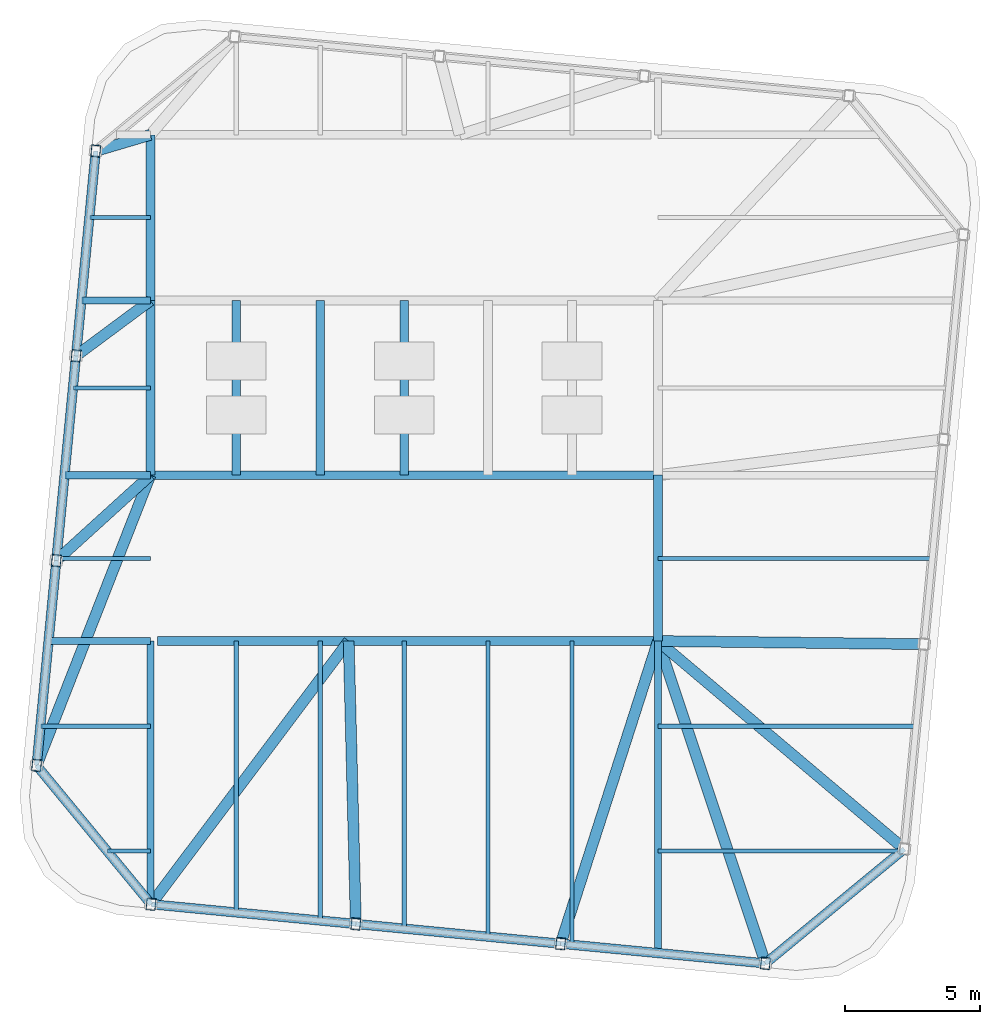
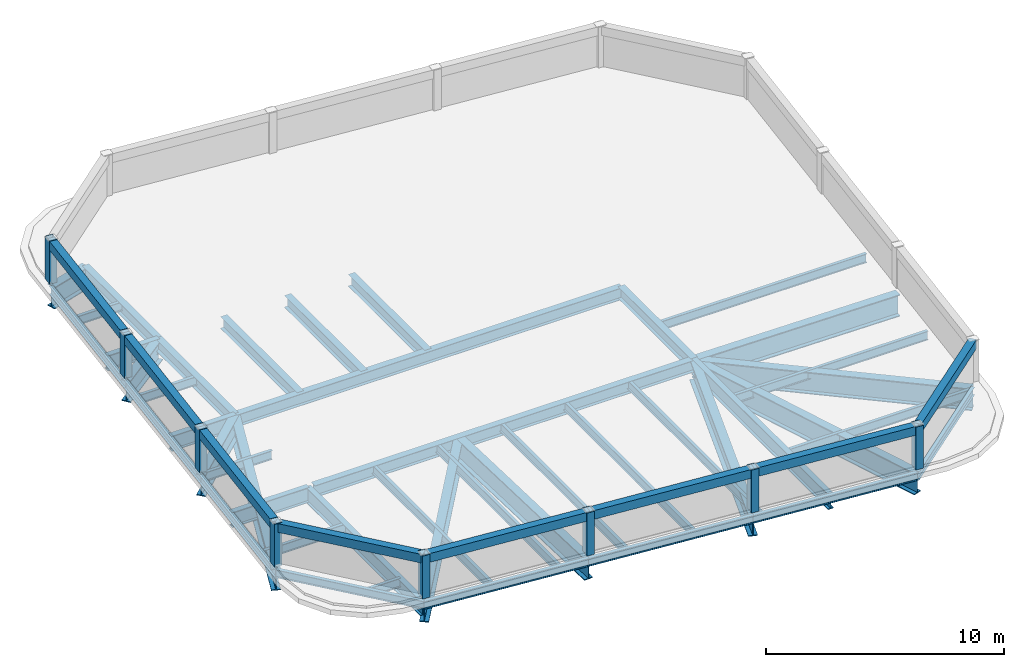
# One storey, part 1 of 4: 44 beams, 16 members.
"""IFC4 building model written with IfcOpenShell, lengths in metres."""

from ifc_helpers import new_model, si_unit, direction, frame, origin, origin_2d, place, context, subcontext, project, spatial, hollow_rectangle, i_section, extrude, material, material_profile, profile_set, type_object, element, save


model = new_model("IFC4")

# Units and contexts
model_context = context("Model", 3, precision=1e-05, world=origin(), true_north=direction((0.0, 1.0)))
body_context = subcontext(model_context, "Body", "Model", "MODEL_VIEW")
ifc_project = project(units=[si_unit("LENGTHUNIT", "METRE"), si_unit("AREAUNIT", "SQUARE_METRE"), si_unit("VOLUMEUNIT", "CUBIC_METRE"), si_unit("PLANEANGLEUNIT", "RADIAN"), si_unit("MASSUNIT", "GRAM", prefix="KILO")], contexts=[model_context])

# Site, building, storey
site_placement = place(None, origin())
site = spatial("IfcSite", under=ifc_project, at=site_placement, CompositionType="ELEMENT")
building_placement = place(site_placement, origin())
building = spatial("IfcBuilding", under=site, at=building_placement, Name="Qhalaya Broadcast Tower", CompositionType="ELEMENT")
storey_placement = place(building_placement, frame((0.0, 0.0, 296.75)))
storey = spatial("IfcBuildingStorey", under=building, at=storey_placement, Name="Roof", CompositionType="ELEMENT", Elevation=296.75)

# Beams
ifc_material_1 = material(Name="Structural Steel ASTM A992 Grade 50", Category="steel")
ifc_material_profile_1 = material_profile(ifc_material_1, i_section(OverallWidth=0.154052734375, OverallDepth=0.458984375, WebThickness=0.009033203125, FlangeThickness=0.015380859375, at=origin_2d()), Name="W18X46")
ifc_profile_set_1 = profile_set([ifc_material_profile_1], Name="Structural Steel ASTM A992 Grade 50")
beam_type_1 = type_object("IfcBeamType", Name="Composite Floor Joist J04", PredefinedType="JOIST", material=ifc_profile_set_1)
beam_1_placement = place(storey_placement, frame((-6.199951171875, -18.756591796875, -0.489501953125), z_axis=(0.0, 1.0, 0.0), x_axis=(-1.0, 0.0, 0.0)))
element("IfcBeam", 1, at=beam_1_placement, inside=storey, type_object=beam_type_1, Name="Roof J04 Roof-JNS1-1", PredefinedType="JOIST", context=body_context, shape_type="SweptSolid", body=[
    extrude(i_section(OverallWidth=0.154052734375, OverallDepth=0.458984375, WebThickness=0.009033203125, FlangeThickness=0.015380859375, at=origin_2d()), origin(), (0.0, 0.0, 1.0), 10.006591796875),
])
beam_2_placement = place(storey_placement, frame((-3.10009765625, -19.054931640625, -0.489501953125), z_axis=(0.0, 1.0, 0.0), x_axis=(-1.0, 0.0, 0.0)))
element("IfcBeam", 2, at=beam_2_placement, inside=storey, type_object=beam_type_1, Name="Roof J04 Roof-JNS2-1", PredefinedType="JOIST", context=body_context, shape_type="SweptSolid", body=[
    extrude(i_section(OverallWidth=0.154052734375, OverallDepth=0.458984375, WebThickness=0.009033203125, FlangeThickness=0.015380859375, at=origin_2d()), origin(), (0.0, 0.0, 1.0), 10.304931640625),
])
beam_3_placement = place(storey_placement, frame((0.0, -19.353515625, -0.489501953125), z_axis=(0.0, 1.0, 0.0), x_axis=(-1.0, 0.0, 0.0)))
element("IfcBeam", 3, at=beam_3_placement, inside=storey, type_object=beam_type_1, Name="Roof J04 Roof-JNS3-1", PredefinedType="JOIST", context=body_context, shape_type="SweptSolid", body=[
    extrude(i_section(OverallWidth=0.154052734375, OverallDepth=0.458984375, WebThickness=0.009033203125, FlangeThickness=0.015380859375, at=origin_2d()), origin(), (0.0, 0.0, 1.0), 10.603515625),
])
beam_4_placement = place(storey_placement, frame((3.10009765625, -19.652099609375, -0.489501953125), z_axis=(0.0, 1.0, 0.0), x_axis=(-1.0, 0.0, 0.0)))
element("IfcBeam", 4, at=beam_4_placement, inside=storey, type_object=beam_type_1, Name="Roof J04 Roof-JNS4-1", PredefinedType="JOIST", context=body_context, shape_type="SweptSolid", body=[
    extrude(i_section(OverallWidth=0.154052734375, OverallDepth=0.458984375, WebThickness=0.009033203125, FlangeThickness=0.015380859375, at=origin_2d()), origin(), (0.0, 0.0, 1.0), 10.902099609375),
])
beam_5_placement = place(storey_placement, frame((6.199951171875, -19.950439453125, -0.489501953125), z_axis=(0.0, 1.0, 0.0), x_axis=(-1.0, 0.0, 0.0)))
element("IfcBeam", 5, at=beam_5_placement, inside=storey, type_object=beam_type_1, Name="Roof J04 Roof-JNS5-1", PredefinedType="JOIST", context=body_context, shape_type="SweptSolid", body=[
    extrude(i_section(OverallWidth=0.154052734375, OverallDepth=0.458984375, WebThickness=0.009033203125, FlangeThickness=0.015380859375, at=origin_2d()), origin(), (0.0, 0.0, 1.0), 11.200439453125),
])
beam_6_placement = place(storey_placement, frame((-10.951416015625, -16.5, -0.489501953125), z_axis=(1.0, 0.0, 0.0), x_axis=(0.0, 1.0, 0.0)))
element("IfcBeam", 6, at=beam_6_placement, inside=storey, type_object=beam_type_1, Name="Roof J04 Roof-JWE1W-1", PredefinedType="JOIST", context=body_context, shape_type="SweptSolid", body=[
    extrude(i_section(OverallWidth=0.154052734375, OverallDepth=0.458984375, WebThickness=0.009033203125, FlangeThickness=0.015380859375, at=origin_2d()), origin(), (0.0, 0.0, 1.0), 1.576416015625),
])
beam_7_placement = place(storey_placement, frame((9.375, -16.5, -0.489501953125), z_axis=(1.0, 0.0, 0.0), x_axis=(0.0, 1.0, 0.0)))
element("IfcBeam", 7, at=beam_7_placement, inside=storey, type_object=beam_type_1, Name="Roof J04 Roof-JWE1E-1", PredefinedType="JOIST", context=body_context, shape_type="SweptSolid", body=[
    extrude(i_section(OverallWidth=0.154052734375, OverallDepth=0.458984375, WebThickness=0.009033203125, FlangeThickness=0.015380859375, at=origin_2d()), origin(), (0.0, 0.0, 1.0), 8.982666015625),
])
beam_8_placement = place(storey_placement, frame((-13.419189453125, -11.89990234375, -0.489501953125), z_axis=(1.0, 0.0, 0.0), x_axis=(0.0, 1.0, 0.0)))
element("IfcBeam", 8, at=beam_8_placement, inside=storey, type_object=beam_type_1, Name="Roof J04 Roof-JWE2W-1", PredefinedType="JOIST", context=body_context, shape_type="SweptSolid", body=[
    extrude(i_section(OverallWidth=0.154052734375, OverallDepth=0.458984375, WebThickness=0.009033203125, FlangeThickness=0.015380859375, at=origin_2d()), origin(), (0.0, 0.0, 1.0), 4.044189453125),
])
beam_9_placement = place(storey_placement, frame((9.375, -11.89990234375, -0.489501953125), z_axis=(1.0, 0.0, 0.0), x_axis=(0.0, 1.0, 0.0)))
element("IfcBeam", 9, at=beam_9_placement, inside=storey, type_object=beam_type_1, Name="Roof J04 Roof-JWE2E-1", PredefinedType="JOIST", context=body_context, shape_type="SweptSolid", body=[
    extrude(i_section(OverallWidth=0.154052734375, OverallDepth=0.458984375, WebThickness=0.009033203125, FlangeThickness=0.015380859375, at=origin_2d()), origin(), (0.0, 0.0, 1.0), 9.514404296875),
])
beam_10_placement = place(storey_placement, frame((-12.822509765625, -5.699951171875, -0.489501953125), z_axis=(1.0, 0.0, 0.0), x_axis=(0.0, 1.0, 0.0)))
element("IfcBeam", 10, at=beam_10_placement, inside=storey, type_object=beam_type_1, Name="Roof J04 Roof-JWE3W-1", PredefinedType="JOIST", context=body_context, shape_type="SweptSolid", body=[
    extrude(i_section(OverallWidth=0.154052734375, OverallDepth=0.458984375, WebThickness=0.009033203125, FlangeThickness=0.015380859375, at=origin_2d()), origin(), (0.0, 0.0, 1.0), 3.447509765625),
])
beam_11_placement = place(storey_placement, frame((9.375, -5.699951171875, -0.489501953125), z_axis=(1.0, 0.0, 0.0), x_axis=(0.0, 1.0, 0.0)))
element("IfcBeam", 11, at=beam_11_placement, inside=storey, type_object=beam_type_1, Name="Roof J04 Roof-JWE3E-1", PredefinedType="JOIST", context=body_context, shape_type="SweptSolid", body=[
    extrude(i_section(OverallWidth=0.154052734375, OverallDepth=0.458984375, WebThickness=0.009033203125, FlangeThickness=0.015380859375, at=origin_2d()), origin(), (0.0, 0.0, 1.0), 10.111328125),
])
beam_12_placement = place(storey_placement, frame((-12.2158203125, 0.60009765625, -0.489501953125), z_axis=(1.0, 0.0, 0.0), x_axis=(0.0, 1.0, 0.0)))
element("IfcBeam", 12, at=beam_12_placement, inside=storey, type_object=beam_type_1, Name="Roof J04 Roof-JWE4W-1", PredefinedType="JOIST", context=body_context, shape_type="SweptSolid", body=[
    extrude(i_section(OverallWidth=0.154052734375, OverallDepth=0.458984375, WebThickness=0.009033203125, FlangeThickness=0.015380859375, at=origin_2d()), origin(), (0.0, 0.0, 1.0), 2.8408203125),
])
beam_13_placement = place(storey_placement, frame((-11.609130859375, 6.89990234375, -0.489501953125), z_axis=(1.0, 0.0, 0.0), x_axis=(0.0, 1.0, 0.0)))
element("IfcBeam", 13, at=beam_13_placement, inside=storey, type_object=beam_type_1, Name="Roof J04 Roof-JWE5W-1", PredefinedType="JOIST", context=body_context, shape_type="SweptSolid", body=[
    extrude(i_section(OverallWidth=0.154052734375, OverallDepth=0.458984375, WebThickness=0.009033203125, FlangeThickness=0.015380859375, at=origin_2d()), origin(), (0.0, 0.0, 1.0), 2.234130859375),
])
ifc_material_profile_2 = material_profile(ifc_material_1, i_section(OverallWidth=0.323974609375, OverallDepth=0.612060546875, WebThickness=0.0126953125, FlangeThickness=0.01904296875, at=origin_2d()), Name="W24X104")
ifc_profile_set_2 = profile_set([ifc_material_profile_2], Name="Structural Steel ASTM A992 Grade 50")
beam_type_2 = type_object("IfcBeamType", Name="Core Frame Tie Beam B04", PredefinedType="BEAM", material=ifc_profile_set_2)
beam_14_placement = place(storey_placement, frame((-9.375, 3.824951171875, -0.56591796875), z_axis=(0.0, 1.0, 0.0), x_axis=(-1.0, 0.0, 0.0)))
element("IfcBeam", 14, at=beam_14_placement, inside=storey, type_object=beam_type_2, Name="Roof B04 Roof-CCN2", PredefinedType="BEAM", context=body_context, shape_type="SweptSolid", body=[
    extrude(i_section(OverallWidth=0.323974609375, OverallDepth=0.612060546875, WebThickness=0.0126953125, FlangeThickness=0.01904296875, at=origin_2d()), origin(), (0.0, 0.0, 1.0), 6.125),
])
beam_15_placement = place(storey_placement, frame((-9.375, -2.625, -0.56591796875), z_axis=(1.0, 0.0, 0.0), x_axis=(0.0, 1.0, 0.0)))
element("IfcBeam", 15, at=beam_15_placement, inside=storey, type_object=beam_type_2, Name="Roof B04 Roof-CCS1", PredefinedType="BEAM", context=body_context, shape_type="SweptSolid", body=[
    extrude(i_section(OverallWidth=0.323974609375, OverallDepth=0.612060546875, WebThickness=0.0126953125, FlangeThickness=0.01904296875, at=origin_2d()), origin(), (0.0, 0.0, 1.0), 18.75),
])
beam_16_placement = place(storey_placement, frame((9.375, -8.75, -0.56591796875), z_axis=(0.0, 1.0, 0.0), x_axis=(-1.0, 0.0, 0.0)))
element("IfcBeam", 16, at=beam_16_placement, inside=storey, type_object=beam_type_2, Name="Roof B04 Roof-CCS2", PredefinedType="BEAM", context=body_context, shape_type="SweptSolid", body=[
    extrude(i_section(OverallWidth=0.323974609375, OverallDepth=0.612060546875, WebThickness=0.0126953125, FlangeThickness=0.01904296875, at=origin_2d()), origin(), (0.0, 0.0, 1.0), 6.125),
])
beam_17_placement = place(storey_placement, frame((-9.1201171875, -8.75, -0.56591796875), z_axis=(1.0, 0.0, 0.0), x_axis=(0.0, 1.0, 0.0)))
element("IfcBeam", 17, at=beam_17_placement, inside=storey, type_object=beam_type_2, Name="Roof B04 Roof-CCS3", PredefinedType="BEAM", context=body_context, shape_type="SweptSolid", body=[
    extrude(i_section(OverallWidth=0.323974609375, OverallDepth=0.612060546875, WebThickness=0.0126953125, FlangeThickness=0.01904296875, at=origin_2d()), origin(), (0.0, 0.0, 1.0), 18.4951171875),
])
for number, where, z_axis, x_axis, name in (
    (18, (-9.375, -2.625, -0.56591796875), (0.0, 1.0, 0.0), (-1.0, 0.0, 0.0), "Roof B04 Roof-CCW"),
    (19, (-6.199951171875, -2.625, -0.56591796875), (0.0, 1.0, 0.0), (-1.0, 0.0, 0.0), "Roof B04 Roof-JC1-1"),
    (20, (-3.10009765625, -2.625, -0.56591796875), (0.0, 1.0, 0.0), (-1.0, 0.0, 0.0), "Roof B04 Roof-JC2-1"),
    (21, (0.0, -2.625, -0.56591796875), (0.0, 1.0, 0.0), (-1.0, 0.0, 0.0), "Roof B04 Roof-JC3-1"),
):
    element("IfcBeam", number, at=place(storey_placement, frame(where, z_axis=z_axis, x_axis=x_axis)), inside=storey, type_object=beam_type_2, Name=name, PredefinedType="BEAM", context=body_context, shape_type="SweptSolid", body=[
        extrude(i_section(OverallWidth=0.323974609375, OverallDepth=0.612060546875, WebThickness=0.0126953125, FlangeThickness=0.01904296875, at=origin_2d()), origin(), (0.0, 0.0, 1.0), 6.449951171875),
    ])

# Members
ifc_material_2 = material(Name="Structural Steel ASTM A572 Grade 50", Category="steel")
ifc_material_profile_3 = material_profile(ifc_material_2, hollow_rectangle(XDim=0.35009765625, YDim=0.449951171875, WallThickness=0.02490234375, at=origin_2d()), Name="BOX 350x450x25")
ifc_profile_set_3 = profile_set([ifc_material_profile_3], Name="Structural Steel ASTM A572 Grade 50")
member_type = type_object("IfcMemberType", Name="Crown Frame Structural Post & Cap CF1", PredefinedType="STRUT", material=ifc_profile_set_3)
member_1_placement = place(storey_placement, frame((-9.3505859375, -18.47314453125, 0.0), z_axis=(0.0, 0.0, 1.0), x_axis=(0.995396198367, -0.09584575252, 0.0)))
element("IfcMember", 22, at=member_1_placement, inside=storey, type_object=member_type, Name="CROWN FRAME Post CF-01", PredefinedType="STRUT", context=body_context, shape_type="SweptSolid", body=[
    extrude(hollow_rectangle(XDim=0.35009765625, YDim=0.449951171875, WallThickness=0.02490234375, at=origin_2d()), origin(), (0.0, 0.0, 1.0), 2.199951171875),
])
member_2_placement = place(storey_placement, frame((-9.3505859375, -18.47314453125, 1.97509765625), z_axis=(0.995395010529, -0.095858087892, 0.0), x_axis=(0.095858087892, 0.995395010529, 0.0)))
element("IfcMember", 23, at=member_2_placement, inside=storey, type_object=member_type, Name="CROWN FRAME Cap Ring Beam CFR-01", PredefinedType="STRUT", context=body_context, shape_type="SweptSolid", body=[
    extrude(hollow_rectangle(XDim=0.35009765625, YDim=0.449951171875, WallThickness=0.02490234375, at=origin_2d()), origin(), (0.0, 0.0, 1.0), 7.599853515625),
])
member_3_placement = place(storey_placement, frame((-1.78564453125, -19.20166015625, 0.0), z_axis=(0.0, 0.0, 1.0), x_axis=(0.995396198367, -0.09584575252, 0.0)))
element("IfcMember", 24, at=member_3_placement, inside=storey, type_object=member_type, Name="CROWN FRAME Post CF-02", PredefinedType="STRUT", context=body_context, shape_type="SweptSolid", body=[
    extrude(hollow_rectangle(XDim=0.35009765625, YDim=0.449951171875, WallThickness=0.02490234375, at=origin_2d()), origin(), (0.0, 0.0, 1.0), 2.199951171875),
])
member_4_placement = place(storey_placement, frame((-1.78564453125, -19.20166015625, 1.97509765625), z_axis=(0.995395010529, -0.095858087892, 0.0), x_axis=(0.095858087892, 0.995395010529, 0.0)))
element("IfcMember", 25, at=member_4_placement, inside=storey, type_object=member_type, Name="CROWN FRAME Cap Ring Beam CFR-02", PredefinedType="STRUT", context=body_context, shape_type="SweptSolid", body=[
    extrude(hollow_rectangle(XDim=0.35009765625, YDim=0.449951171875, WallThickness=0.02490234375, at=origin_2d()), origin(), (0.0, 0.0, 1.0), 7.599853515625),
])
member_5_placement = place(storey_placement, frame((5.779296875, -19.93017578125, 0.0), z_axis=(0.0, 0.0, 1.0), x_axis=(0.995396198367, -0.09584575252, 0.0)))
element("IfcMember", 26, at=member_5_placement, inside=storey, type_object=member_type, Name="CROWN FRAME Post CF-03", PredefinedType="STRUT", context=body_context, shape_type="SweptSolid", body=[
    extrude(hollow_rectangle(XDim=0.35009765625, YDim=0.449951171875, WallThickness=0.02490234375, at=origin_2d()), origin(), (0.0, 0.0, 1.0), 2.199951171875),
])
member_6_placement = place(storey_placement, frame((5.779296875, -19.93017578125, 1.97509765625), z_axis=(0.995398370168, -0.09582319483, 0.0), x_axis=(0.09582319483, 0.995398370168, 0.0)))
element("IfcMember", 27, at=member_6_placement, inside=storey, type_object=member_type, Name="CROWN FRAME Cap Ring Beam CFR-03", PredefinedType="STRUT", context=body_context, shape_type="SweptSolid", body=[
    extrude(hollow_rectangle(XDim=0.35009765625, YDim=0.449951171875, WallThickness=0.02490234375, at=origin_2d()), origin(), (0.0, 0.0, 1.0), 7.60009765625),
])
member_7_placement = place(storey_placement, frame((13.344482421875, -20.658447265625, 0.0), z_axis=(0.0, 0.0, 1.0), x_axis=(0.995396198367, -0.09584575252, 0.0)))
element("IfcMember", 28, at=member_7_placement, inside=storey, type_object=member_type, Name="CROWN FRAME Post CF-04", PredefinedType="STRUT", context=body_context, shape_type="SweptSolid", body=[
    extrude(hollow_rectangle(XDim=0.35009765625, YDim=0.449951171875, WallThickness=0.02490234375, at=origin_2d()), origin(), (0.0, 0.0, 1.0), 2.199951171875),
])
member_8_placement = place(storey_placement, frame((13.344482421875, -20.658447265625, 1.97509765625), z_axis=(0.771621598903, 0.63608184073, 0.0), x_axis=(-0.63608184073, 0.771621598903, 0.0)))
element("IfcMember", 29, at=member_8_placement, inside=storey, type_object=member_type, Name="CROWN FRAME Cap Ring Beam CFR-04", PredefinedType="STRUT", context=body_context, shape_type="SweptSolid", body=[
    extrude(hollow_rectangle(XDim=0.35009765625, YDim=0.449951171875, WallThickness=0.02490234375, at=origin_2d()), origin(), (0.0, 0.0, 1.0), 6.646484375),
])
member_9_placement = place(storey_placement, frame((-11.393310546875, 9.3505859375, 0.0), z_axis=(0.0, 0.0, 1.0), x_axis=(0.995396198367, -0.09584575252, 0.0)))
element("IfcMember", 30, at=member_9_placement, inside=storey, type_object=member_type, Name="CROWN FRAME Post CF-13", PredefinedType="STRUT", context=body_context, shape_type="SweptSolid", body=[
    extrude(hollow_rectangle(XDim=0.35009765625, YDim=0.449951171875, WallThickness=0.02490234375, at=origin_2d()), origin(), (0.0, 0.0, 1.0), 2.199951171875),
])
member_10_placement = place(storey_placement, frame((-11.393310546875, 9.3505859375, 1.97509765625), z_axis=(-0.095826258901, -0.995398075197, 0.0), x_axis=(0.995398075197, -0.095826258901, 0.0)))
element("IfcMember", 31, at=member_10_placement, inside=storey, type_object=member_type, Name="CROWN FRAME Cap Ring Beam CFR-13", PredefinedType="STRUT", context=body_context, shape_type="SweptSolid", body=[
    extrude(hollow_rectangle(XDim=0.35009765625, YDim=0.449951171875, WallThickness=0.02490234375, at=origin_2d()), origin(), (0.0, 0.0, 1.0), 7.599853515625),
])
member_11_placement = place(storey_placement, frame((-12.12158203125, 1.78564453125, 0.0), z_axis=(0.0, 0.0, 1.0), x_axis=(0.995396198367, -0.09584575252, 0.0)))
element("IfcMember", 32, at=member_11_placement, inside=storey, type_object=member_type, Name="CROWN FRAME Post CF-14", PredefinedType="STRUT", context=body_context, shape_type="SweptSolid", body=[
    extrude(hollow_rectangle(XDim=0.35009765625, YDim=0.449951171875, WallThickness=0.02490234375, at=origin_2d()), origin(), (0.0, 0.0, 1.0), 2.199951171875),
])
member_12_placement = place(storey_placement, frame((-12.12158203125, 1.78564453125, 1.97509765625), z_axis=(-0.095858087892, -0.995395010529, 0.0), x_axis=(0.995395010529, -0.095858087892, 0.0)))
element("IfcMember", 33, at=member_12_placement, inside=storey, type_object=member_type, Name="CROWN FRAME Cap Ring Beam CFR-14", PredefinedType="STRUT", context=body_context, shape_type="SweptSolid", body=[
    extrude(hollow_rectangle(XDim=0.35009765625, YDim=0.449951171875, WallThickness=0.02490234375, at=origin_2d()), origin(), (0.0, 0.0, 1.0), 7.599853515625),
])
member_13_placement = place(storey_placement, frame((-12.85009765625, -5.779296875, 0.0), z_axis=(0.0, 0.0, 1.0), x_axis=(0.995396198367, -0.09584575252, 0.0)))
element("IfcMember", 34, at=member_13_placement, inside=storey, type_object=member_type, Name="CROWN FRAME Post CF-15", PredefinedType="STRUT", context=body_context, shape_type="SweptSolid", body=[
    extrude(hollow_rectangle(XDim=0.35009765625, YDim=0.449951171875, WallThickness=0.02490234375, at=origin_2d()), origin(), (0.0, 0.0, 1.0), 2.199951171875),
])
member_14_placement = place(storey_placement, frame((-12.85009765625, -5.779296875, 1.97509765625), z_axis=(-0.095855022822, -0.995395305695, 0.0), x_axis=(0.995395305695, -0.095855022822, 0.0)))
element("IfcMember", 35, at=member_14_placement, inside=storey, type_object=member_type, Name="CROWN FRAME Cap Ring Beam CFR-15", PredefinedType="STRUT", context=body_context, shape_type="SweptSolid", body=[
    extrude(hollow_rectangle(XDim=0.35009765625, YDim=0.449951171875, WallThickness=0.02490234375, at=origin_2d()), origin(), (0.0, 0.0, 1.0), 7.60009765625),
])
member_15_placement = place(storey_placement, frame((-13.57861328125, -13.344482421875, 0.0), z_axis=(0.0, 0.0, 1.0), x_axis=(0.995396198367, -0.09584575252, 0.0)))
element("IfcMember", 36, at=member_15_placement, inside=storey, type_object=member_type, Name="CROWN FRAME Post CF-16", PredefinedType="STRUT", context=body_context, shape_type="SweptSolid", body=[
    extrude(hollow_rectangle(XDim=0.35009765625, YDim=0.449951171875, WallThickness=0.02490234375, at=origin_2d()), origin(), (0.0, 0.0, 1.0), 2.199951171875),
])
member_16_placement = place(storey_placement, frame((-13.57861328125, -13.344482421875, 1.97509765625), z_axis=(0.636103709979, -0.771603570593, 0.0), x_axis=(0.771603570593, 0.636103709979, 0.0)))
element("IfcMember", 37, at=member_16_placement, inside=storey, type_object=member_type, Name="CROWN FRAME Cap Ring Beam CFR-16", PredefinedType="STRUT", context=body_context, shape_type="SweptSolid", body=[
    extrude(hollow_rectangle(XDim=0.35009765625, YDim=0.449951171875, WallThickness=0.02490234375, at=origin_2d()), origin(), (0.0, 0.0, 1.0), 6.646728515625),
])

# Beams
ifc_material_profile_4 = material_profile(ifc_material_1, i_section(OverallWidth=0.26708984375, OverallDepth=0.780029296875, WebThickness=0.0166015625, FlangeThickness=0.030029296875, at=origin_2d()), Name="W30X148")
ifc_profile_set_4 = profile_set([ifc_material_profile_4], Name="Structural Steel ASTM A992 Grade 50")
beam_type_3 = type_object("IfcBeamType", Name="Neck & Crown Primary Girder PG5", PredefinedType="USERDEFINED", material=ifc_profile_set_4)
beam_18_placement = place(storey_placement, frame((-9.375, -18.412109375, -0.64990234375), z_axis=(0.0, 1.0, 0.0), x_axis=(-1.0, 0.0, 0.0)))
element("IfcBeam", 38, at=beam_18_placement, inside=storey, type_object=beam_type_3, Name="Roof PG5 Roof-PGXS1-1", ObjectType="GIRDER", PredefinedType="USERDEFINED", context=body_context, shape_type="SweptSolid", body=[
    extrude(i_section(OverallWidth=0.26708984375, OverallDepth=0.780029296875, WebThickness=0.0166015625, FlangeThickness=0.030029296875, at=origin_2d()), origin(), (0.0, 0.0, 1.0), 9.662109375),
])
beam_19_placement = place(storey_placement, frame((9.375, -20.256103515625, -0.64990234375), z_axis=(0.0, 1.0, 0.0), x_axis=(-1.0, 0.0, 0.0)))
element("IfcBeam", 39, at=beam_19_placement, inside=storey, type_object=beam_type_3, Name="Roof PG5 Roof-PGXS2-1", ObjectType="GIRDER", PredefinedType="USERDEFINED", context=body_context, shape_type="SweptSolid", body=[
    extrude(i_section(OverallWidth=0.26708984375, OverallDepth=0.780029296875, WebThickness=0.0166015625, FlangeThickness=0.030029296875, at=origin_2d()), origin(), (0.0, 0.0, 1.0), 11.506103515625),
])
beam_20_placement = place(storey_placement, frame((-13.115966796875, -8.75, -0.64990234375), z_axis=(1.0, 0.0, 0.0), x_axis=(0.0, 1.0, 0.0)))
element("IfcBeam", 40, at=beam_20_placement, inside=storey, type_object=beam_type_3, Name="Roof PG5 Roof-PGYW1-1", ObjectType="GIRDER", PredefinedType="USERDEFINED", context=body_context, shape_type="SweptSolid", body=[
    extrude(i_section(OverallWidth=0.26708984375, OverallDepth=0.780029296875, WebThickness=0.0166015625, FlangeThickness=0.030029296875, at=origin_2d()), origin(), (0.0, 0.0, 1.0), 3.740966796875),
])
beam_21_placement = place(storey_placement, frame((-12.5263671875, -2.625, -0.64990234375), z_axis=(1.0, 0.0, 0.0), x_axis=(0.0, 1.0, 0.0)))
element("IfcBeam", 41, at=beam_21_placement, inside=storey, type_object=beam_type_3, Name="Roof PG5 Roof-PGYW2-1", ObjectType="GIRDER", PredefinedType="USERDEFINED", context=body_context, shape_type="SweptSolid", body=[
    extrude(i_section(OverallWidth=0.26708984375, OverallDepth=0.780029296875, WebThickness=0.0166015625, FlangeThickness=0.030029296875, at=origin_2d()), origin(), (0.0, 0.0, 1.0), 3.1513671875),
])
beam_22_placement = place(storey_placement, frame((-11.9052734375, 3.824951171875, -0.64990234375), z_axis=(1.0, 0.0, 0.0), x_axis=(0.0, 1.0, 0.0)))
element("IfcBeam", 42, at=beam_22_placement, inside=storey, type_object=beam_type_3, Name="Roof PG5 Roof-PGYW3-1", ObjectType="GIRDER", PredefinedType="USERDEFINED", context=body_context, shape_type="SweptSolid", body=[
    extrude(i_section(OverallWidth=0.26708984375, OverallDepth=0.780029296875, WebThickness=0.0166015625, FlangeThickness=0.030029296875, at=origin_2d()), origin(), (0.0, 0.0, 1.0), 2.5302734375),
])
ifc_material_profile_5 = material_profile(ifc_material_1, i_section(OverallWidth=0.404052734375, OverallDepth=1.117919921875, WebThickness=0.026123046875, FlangeThickness=0.044921875, at=origin_2d()), Name="W44X335")
ifc_profile_set_5 = profile_set([ifc_material_profile_5], Name="Structural Steel ASTM A992 Grade 50")
beam_type_4 = type_object("IfcBeamType", Name="Podium Long-Span Primary Girder PG1", PredefinedType="USERDEFINED", material=ifc_profile_set_5)
beam_23_placement = place(storey_placement, frame((-2.050048828125, -8.75, -0.819091796875), z_axis=(-0.600430412677, -0.799677009506, 0.0), x_axis=(0.799677009506, -0.600430412677, 0.0)))
element("IfcBeam", 43, at=beam_23_placement, inside=storey, type_object=beam_type_4, Name="Roof Column-to-Column Moment Tie 01", ObjectType="GIRDER", PredefinedType="USERDEFINED", context=body_context, shape_type="SweptSolid", body=[
    extrude(i_section(OverallWidth=0.404052734375, OverallDepth=1.117919921875, WebThickness=0.026123046875, FlangeThickness=0.044921875, at=origin_2d()), origin(), (0.0, 0.0, 1.0), 12.158935546875),
])
beam_24_placement = place(storey_placement, frame((-2.050048828125, -8.75, -0.819091796875), z_axis=(0.025289736441, -0.999680163468, 0.0), x_axis=(0.999680163468, 0.025289736441, 0.0)))
element("IfcBeam", 44, at=beam_24_placement, inside=storey, type_object=beam_type_4, Name="Roof Column-to-Column Moment Tie 02", ObjectType="GIRDER", PredefinedType="USERDEFINED", context=body_context, shape_type="SweptSolid", body=[
    extrude(i_section(OverallWidth=0.404052734375, OverallDepth=1.117919921875, WebThickness=0.026123046875, FlangeThickness=0.044921875, at=origin_2d()), origin(), (0.0, 0.0, 1.0), 10.455078125),
])
beam_25_placement = place(storey_placement, frame((9.375, -8.75, -0.819091796875), z_axis=(-0.306169329714, -0.951977069862, 0.0), x_axis=(0.951977069862, -0.306169329714, 0.0)))
element("IfcBeam", 45, at=beam_25_placement, inside=storey, type_object=beam_type_4, Name="Roof Column-to-Column Moment Tie 03", ObjectType="GIRDER", PredefinedType="USERDEFINED", context=body_context, shape_type="SweptSolid", body=[
    extrude(i_section(OverallWidth=0.404052734375, OverallDepth=1.117919921875, WebThickness=0.026123046875, FlangeThickness=0.044921875, at=origin_2d()), origin(), (0.0, 0.0, 1.0), 11.744140625),
])
beam_26_placement = place(storey_placement, frame((9.375, -8.75, -0.819091796875), z_axis=(0.316227766017, -0.948683298051, 0.0), x_axis=(0.948683298051, 0.316227766017, 0.0)))
element("IfcBeam", 46, at=beam_26_placement, inside=storey, type_object=beam_type_4, Name="Roof Column-to-Column Moment Tie 04", ObjectType="GIRDER", PredefinedType="USERDEFINED", context=body_context, shape_type="SweptSolid", body=[
    extrude(i_section(OverallWidth=0.404052734375, OverallDepth=1.117919921875, WebThickness=0.026123046875, FlangeThickness=0.044921875, at=origin_2d()), origin(), (0.0, 0.0, 1.0), 12.552490234375),
])
beam_27_placement = place(storey_placement, frame((9.375, -8.75, -0.819091796875), z_axis=(0.764121548994, -0.645072289254, 0.0), x_axis=(0.645072289254, 0.764121548994, 0.0)))
element("IfcBeam", 47, at=beam_27_placement, inside=storey, type_object=beam_type_4, Name="Roof Column-to-Column Moment Tie 05", ObjectType="GIRDER", PredefinedType="USERDEFINED", context=body_context, shape_type="SweptSolid", body=[
    extrude(i_section(OverallWidth=0.404052734375, OverallDepth=1.117919921875, WebThickness=0.026123046875, FlangeThickness=0.044921875, at=origin_2d()), origin(), (0.0, 0.0, 1.0), 11.90673828125),
])
beam_28_placement = place(storey_placement, frame((9.375, -8.75, -0.819091796875), z_axis=(0.999930957654, -0.01175074144, 0.0), x_axis=(0.01175074144, 0.999930957654, 0.0)))
element("IfcBeam", 48, at=beam_28_placement, inside=storey, type_object=beam_type_4, Name="Roof Column-to-Column Moment Tie 06", ObjectType="GIRDER", PredefinedType="USERDEFINED", context=body_context, shape_type="SweptSolid", body=[
    extrude(i_section(OverallWidth=0.404052734375, OverallDepth=1.117919921875, WebThickness=0.026123046875, FlangeThickness=0.044921875, at=origin_2d()), origin(), (0.0, 0.0, 1.0), 9.827392578125),
])
beam_29_placement = place(storey_placement, frame((-9.375, 9.949951171875, -0.819091796875), z_axis=(-0.958623629884, -0.284676546676, 0.0), x_axis=(0.284676546676, -0.958623629884, 0.0)))
element("IfcBeam", 49, at=beam_29_placement, inside=storey, type_object=beam_type_4, Name="Roof Column-to-Column Moment Tie 13", ObjectType="GIRDER", PredefinedType="USERDEFINED", context=body_context, shape_type="SweptSolid", body=[
    extrude(i_section(OverallWidth=0.404052734375, OverallDepth=1.117919921875, WebThickness=0.026123046875, FlangeThickness=0.044921875, at=origin_2d()), origin(), (0.0, 0.0, 1.0), 2.10546875),
])
beam_30_placement = place(storey_placement, frame((-9.375, 3.824951171875, -0.819091796875), z_axis=(-0.802885359171, -0.596133458236, 0.0), x_axis=(0.596133458236, -0.802885359171, 0.0)))
element("IfcBeam", 50, at=beam_30_placement, inside=storey, type_object=beam_type_4, Name="Roof Column-to-Column Moment Tie 14", ObjectType="GIRDER", PredefinedType="USERDEFINED", context=body_context, shape_type="SweptSolid", body=[
    extrude(i_section(OverallWidth=0.404052734375, OverallDepth=1.117919921875, WebThickness=0.026123046875, FlangeThickness=0.044921875, at=origin_2d()), origin(), (0.0, 0.0, 1.0), 3.4208984375),
])
beam_31_placement = place(storey_placement, frame((-9.375, -2.625, -0.819091796875), z_axis=(-0.7404577038, -0.672102960032, 0.0), x_axis=(0.672102960032, -0.7404577038, 0.0)))
element("IfcBeam", 51, at=beam_31_placement, inside=storey, type_object=beam_type_4, Name="Roof Column-to-Column Moment Tie 15", ObjectType="GIRDER", PredefinedType="USERDEFINED", context=body_context, shape_type="SweptSolid", body=[
    extrude(i_section(OverallWidth=0.404052734375, OverallDepth=1.117919921875, WebThickness=0.026123046875, FlangeThickness=0.044921875, at=origin_2d()), origin(), (0.0, 0.0, 1.0), 4.693115234375),
])
beam_32_placement = place(storey_placement, frame((-9.375, -2.625, -0.819091796875), z_axis=(-0.365079601388, -0.930976307244, 0.0), x_axis=(0.930976307244, -0.365079601388, 0.0)))
element("IfcBeam", 52, at=beam_32_placement, inside=storey, type_object=beam_type_4, Name="Roof Column-to-Column Moment Tie 16", ObjectType="GIRDER", PredefinedType="USERDEFINED", context=body_context, shape_type="SweptSolid", body=[
    extrude(i_section(OverallWidth=0.404052734375, OverallDepth=1.117919921875, WebThickness=0.026123046875, FlangeThickness=0.044921875, at=origin_2d()), origin(), (0.0, 0.0, 1.0), 11.51416015625),
])
ifc_material_profile_6 = material_profile(ifc_material_1, i_section(OverallWidth=0.177978515625, OverallDepth=0.406005859375, WebThickness=0.0078125, FlangeThickness=0.0126953125, at=origin_2d()), Name="W16X40")
ifc_profile_set_6 = profile_set([ifc_material_profile_6], Name="Structural Steel ASTM A992 Grade 50")
beam_type_5 = type_object("IfcBeamType", Name="Upper Perimeter Spandrel Beam SP2", PredefinedType="SPANDREL", material=ifc_profile_set_6)
for number, where, z_axis, x_axis, name in (
    (53, (-9.3505859375, -18.47314453125, -0.462890625), (0.995395010529, -0.095858087892, 0.0), (0.095858087892, 0.995395010529, 0.0), "Roof SP2 Roof-SPR-01"),
    (54, (-1.78564453125, -19.20166015625, -0.462890625), (0.995395010529, -0.095858087892, 0.0), (0.095858087892, 0.995395010529, 0.0), "Roof SP2 Roof-SPR-02"),
):
    element("IfcBeam", number, at=place(storey_placement, frame(where, z_axis=z_axis, x_axis=x_axis)), inside=storey, type_object=beam_type_5, Name=name, PredefinedType="SPANDREL", context=body_context, shape_type="SweptSolid", body=[
        extrude(i_section(OverallWidth=0.177978515625, OverallDepth=0.406005859375, WebThickness=0.0078125, FlangeThickness=0.0126953125, at=origin_2d()), origin(), (0.0, 0.0, 1.0), 7.599853515625),
    ])
beam_33_placement = place(storey_placement, frame((5.779296875, -19.93017578125, -0.462890625), z_axis=(0.995398370168, -0.09582319483, 0.0), x_axis=(0.09582319483, 0.995398370168, 0.0)))
element("IfcBeam", 55, at=beam_33_placement, inside=storey, type_object=beam_type_5, Name="Roof SP2 Roof-SPR-03", PredefinedType="SPANDREL", context=body_context, shape_type="SweptSolid", body=[
    extrude(i_section(OverallWidth=0.177978515625, OverallDepth=0.406005859375, WebThickness=0.0078125, FlangeThickness=0.0126953125, at=origin_2d()), origin(), (0.0, 0.0, 1.0), 7.60009765625),
])
beam_34_placement = place(storey_placement, frame((13.344482421875, -20.658447265625, -0.462890625), z_axis=(0.771621598903, 0.63608184073, 0.0), x_axis=(-0.63608184073, 0.771621598903, 0.0)))
element("IfcBeam", 56, at=beam_34_placement, inside=storey, type_object=beam_type_5, Name="Roof SP2 Roof-SPR-04", PredefinedType="SPANDREL", context=body_context, shape_type="SweptSolid", body=[
    extrude(i_section(OverallWidth=0.177978515625, OverallDepth=0.406005859375, WebThickness=0.0078125, FlangeThickness=0.0126953125, at=origin_2d()), origin(), (0.0, 0.0, 1.0), 6.646484375),
])
for number, where, z_axis, x_axis, name in (
    (57, (-11.393310546875, 9.3505859375, -0.462890625), (-0.095826258901, -0.995398075197, 0.0), (0.995398075197, -0.095826258901, 0.0), "Roof SP2 Roof-SPR-13"),
    (58, (-12.12158203125, 1.78564453125, -0.462890625), (-0.095858087892, -0.995395010529, 0.0), (0.995395010529, -0.095858087892, 0.0), "Roof SP2 Roof-SPR-14"),
):
    element("IfcBeam", number, at=place(storey_placement, frame(where, z_axis=z_axis, x_axis=x_axis)), inside=storey, type_object=beam_type_5, Name=name, PredefinedType="SPANDREL", context=body_context, shape_type="SweptSolid", body=[
        extrude(i_section(OverallWidth=0.177978515625, OverallDepth=0.406005859375, WebThickness=0.0078125, FlangeThickness=0.0126953125, at=origin_2d()), origin(), (0.0, 0.0, 1.0), 7.599853515625),
    ])
beam_35_placement = place(storey_placement, frame((-12.85009765625, -5.779296875, -0.462890625), z_axis=(-0.095855022822, -0.995395305695, 0.0), x_axis=(0.995395305695, -0.095855022822, 0.0)))
element("IfcBeam", 59, at=beam_35_placement, inside=storey, type_object=beam_type_5, Name="Roof SP2 Roof-SPR-15", PredefinedType="SPANDREL", context=body_context, shape_type="SweptSolid", body=[
    extrude(i_section(OverallWidth=0.177978515625, OverallDepth=0.406005859375, WebThickness=0.0078125, FlangeThickness=0.0126953125, at=origin_2d()), origin(), (0.0, 0.0, 1.0), 7.60009765625),
])
beam_36_placement = place(storey_placement, frame((-13.57861328125, -13.344482421875, -0.462890625), z_axis=(0.636103709979, -0.771603570593, 0.0), x_axis=(0.771603570593, 0.636103709979, 0.0)))
element("IfcBeam", 60, at=beam_36_placement, inside=storey, type_object=beam_type_5, Name="Roof SP2 Roof-SPR-16", PredefinedType="SPANDREL", context=body_context, shape_type="SweptSolid", body=[
    extrude(i_section(OverallWidth=0.177978515625, OverallDepth=0.406005859375, WebThickness=0.0078125, FlangeThickness=0.0126953125, at=origin_2d()), origin(), (0.0, 0.0, 1.0), 6.646728515625),
])

save(model, "model.ifc")
